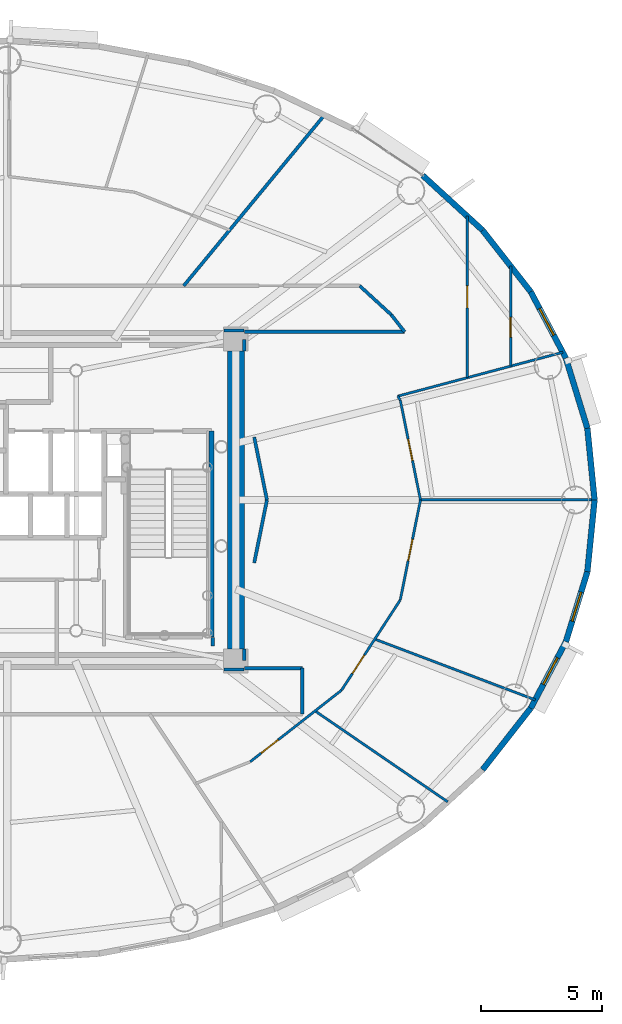
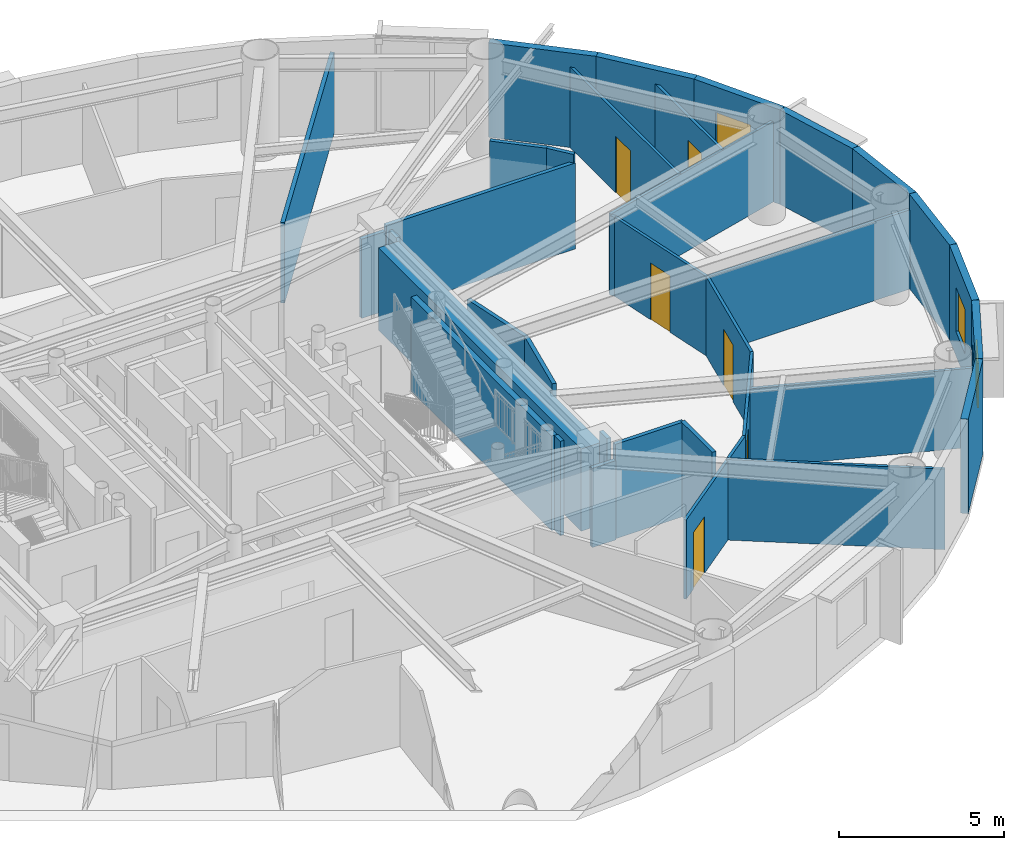
# One storey, part 10 of 18: 35 walls, 6 doors, 3 windows, 9 openings.
"""IFC4 building model written with IfcOpenShell, lengths in metres."""

from ifc_helpers import new_model, si_unit, direction, frame, frame_2d, origin, origin_2d, place, context, subcontext, project, spatial, rectangle, extrude, source, transform, mapped, material, layer, layer_set, type_object, element, fill, save


model = new_model("IFC4")

# Units and contexts
model_context = context("Model", 3, precision=1e-05, world=origin(), true_north=direction((0.0, 1.0)))
body_context = subcontext(model_context, "Body", "Model", "MODEL_VIEW")
ifc_project = project(units=[si_unit("LENGTHUNIT", "METRE"), si_unit("AREAUNIT", "SQUARE_METRE"), si_unit("VOLUMEUNIT", "CUBIC_METRE"), si_unit("PLANEANGLEUNIT", "RADIAN"), si_unit("MASSUNIT", "GRAM", prefix="KILO")], contexts=[model_context])

# Site, building, storey
site_placement = place(None, origin())
site = spatial("IfcSite", under=ifc_project, at=site_placement, CompositionType="ELEMENT")
building_placement = place(site_placement, origin())
building = spatial("IfcBuilding", under=site, at=building_placement, Name="Linh Dai School and Residence Tower", CompositionType="ELEMENT")
storey_placement = place(building_placement, frame((0.0, 0.0, 244.050048828125)))
storey = spatial("IfcBuildingStorey", under=building, at=storey_placement, Name="L60", CompositionType="ELEMENT", Elevation=244.050048828125)

# Walls
ifc_material_1 = material(Name="Precast Concrete B45 (C35/45)", Category="concrete")
ifc_layer_1 = layer(ifc_material_1, 0.239990234375)
ifc_layer_set_1 = layer_set([ifc_layer_1], Name="Precast Concrete B45 (C35/45)")
wall_type_1 = type_object("IfcWallType", Name="EW-TC-240", PredefinedType="SOLIDWALL", material=ifc_layer_set_1)
wall_1_placement = place(storey_placement, frame((59.97705078125, 29.9638671875, 0.0), z_axis=(0.0, 0.0, 1.0), x_axis=(0.099990595253, -0.994988382274, 0.0)))
element("IfcWall", 1, at=wall_1_placement, inside=storey, type_object=wall_type_1, Name="L60 Terracotta Exterior Wall 01", PredefinedType="SOLIDWALL", context=body_context, shape_type="SweptSolid", body=[
    extrude(rectangle(XDim=2.978759765625, YDim=0.239990234375, at=frame_2d((1.4892578125, 0.0))), origin(), (0.0, 0.0, 1.0), 3.5),
])
wall_2_placement = place(storey_placement, frame((59.09033203125, 32.85595703125, 0.0), z_axis=(0.0, 0.0, 1.0), x_axis=(0.293132907334, -0.95607170162, 0.0)))
element("IfcWall", 2, at=wall_2_placement, inside=storey, type_object=wall_type_1, Name="L60 Terracotta Exterior Wall 02", PredefinedType="SOLIDWALL", context=body_context, shape_type="SweptSolid", body=[
    extrude(rectangle(XDim=3.02490234375, YDim=0.239990234375, at=frame_2d((1.512451171875, 0.0))), origin(), (0.0, 0.0, 1.0), 3.5),
])

# Wall, opening, window
wall_3_placement = place(storey_placement, frame((57.6357421875, 35.605224609375, 0.0), z_axis=(0.0, 0.0, 1.0), x_axis=(0.46766049993, -0.883908172157, 0.0)))
wall_3 = element("IfcWall", 3, at=wall_3_placement, inside=storey, type_object=wall_type_1, Name="L60 Terracotta Exterior Wall 03", PredefinedType="SOLIDWALL", context=body_context, shape_type="SweptSolid", body=[
    extrude(rectangle(XDim=3.1103515625, YDim=0.239990234375, at=frame_2d((1.55517578125, 0.0))), origin(), (0.0, 0.0, 1.0), 3.5),
])
opening_1_placement = place(wall_3_placement, frame((0.781982421875, 0.0, 0.89990234375)))
opening_1 = element("IfcOpeningElement", 4, at=opening_1_placement, cuts=wall_3, Name="Opening W3", PredefinedType="OPENING", context=body_context, shape_type="SweptSolid", body=[
    extrude(rectangle(XDim=1.25, YDim=1.64990234375, at=origin_2d()), frame((0.625, 0.1298828125, 0.824951171875), z_axis=(0.0, -1.0, 0.0), x_axis=(1.0, 0.0, 0.0)), (0.0, 0.0, 1.0), 0.260009765625),
])
ifc_material_2 = material(Name="Double Low-E Insulated Glazing", Category="glass")
window_type = type_object("IfcWindowType", Name="WN-RES-1250x1650", PartitioningType="SINGLE_PANEL", PredefinedType="WINDOW", material=ifc_material_2)
shared_shape_1 = source(origin(), body_context, "Body", "SweptSolid", [
    extrude(rectangle(XDim=1.25, YDim=1.64990234375, at=origin_2d()), frame((0.625, 0.030029296875, 0.824951171875), z_axis=(0.0, -1.0, 0.0), x_axis=(1.0, 0.0, 0.0)), (0.0, 0.0, 1.0), 0.06005859375),
])
window_1_placement = place(opening_1_placement, origin())
window_1 = element("IfcWindow", 5, at=window_1_placement, inside=storey, type_object=window_type, Name="L60 Exterior Window 03.1", OverallHeight=1.64990234375, OverallWidth=1.25, PartitioningType="SINGLE_PANEL", PredefinedType="WINDOW", context=body_context, shape_type="MappedRepresentation", body=[
    mapped(shared_shape_1, transform((0.0, 0.0, 0.0), x_axis=(1.0, 0.0, 0.0), y_axis=(0.0, 1.0, 0.0), z_axis=(0.0, 0.0, 1.0), scale=1.0)),
])
fill(opening_1, window_1)

# Walls
wall_4_placement = place(storey_placement, frame((55.6484375, 38.14453125, 0.0), z_axis=(0.0, 0.0, 1.0), x_axis=(0.616312344705, -0.787501805562, 0.0)))
element("IfcWall", 6, at=wall_4_placement, inside=storey, type_object=wall_type_1, Name="L60 Terracotta Exterior Wall 04", PredefinedType="SOLIDWALL", context=body_context, shape_type="SweptSolid", body=[
    extrude(rectangle(XDim=3.224609375, YDim=0.239990234375, at=frame_2d((1.6123046875, 0.0))), origin(), (0.0, 0.0, 1.0), 3.5),
])
wall_5_placement = place(storey_placement, frame((53.17626953125, 40.410888671875, 0.0), z_axis=(0.0, 0.0, 1.0), x_axis=(0.737123922599, -0.675757591694, 0.0)))
element("IfcWall", 7, at=wall_5_placement, inside=storey, type_object=wall_type_1, Name="L60 Terracotta Exterior Wall 05", PredefinedType="SOLIDWALL", context=body_context, shape_type="SweptSolid", body=[
    extrude(rectangle(XDim=3.353759765625, YDim=0.239990234375, at=frame_2d((1.6767578125, 0.0))), origin(), (0.0, 0.0, 1.0), 3.5),
])
wall_6_placement = place(storey_placement, frame((57.6357421875, 18.394775390625, 0.0), z_axis=(0.0, 0.0, 1.0), x_axis=(-0.616312344705, -0.787501805562, 0.0)))
element("IfcWall", 8, at=wall_6_placement, inside=storey, type_object=wall_type_1, Name="L60 Terracotta Exterior Wall 37", PredefinedType="SOLIDWALL", context=body_context, shape_type="SweptSolid", body=[
    extrude(rectangle(XDim=3.224609375, YDim=0.239990234375, at=frame_2d((1.6123046875, 0.0))), origin(), (0.0, 0.0, 1.0), 3.5),
])

# Wall, opening, window
wall_7_placement = place(storey_placement, frame((59.09033203125, 21.14404296875, 0.0), z_axis=(0.0, 0.0, 1.0), x_axis=(-0.46766049993, -0.883908172157, 0.0)))
wall_7 = element("IfcWall", 9, at=wall_7_placement, inside=storey, type_object=wall_type_1, Name="L60 Terracotta Exterior Wall 38", PredefinedType="SOLIDWALL", context=body_context, shape_type="SweptSolid", body=[
    extrude(rectangle(XDim=3.1103515625, YDim=0.239990234375, at=frame_2d((1.55517578125, 0.0))), origin(), (0.0, 0.0, 1.0), 3.5),
])
opening_2_placement = place(wall_7_placement, frame((0.747802734375, 0.0, 0.89990234375)))
opening_2 = element("IfcOpeningElement", 10, at=opening_2_placement, cuts=wall_7, Name="Opening W3", PredefinedType="OPENING", context=body_context, shape_type="SweptSolid", body=[
    extrude(rectangle(XDim=1.25, YDim=1.64990234375, at=origin_2d()), frame((0.625, 0.1298828125, 0.824951171875), z_axis=(0.0, -1.0, 0.0), x_axis=(1.0, 0.0, 0.0)), (0.0, 0.0, 1.0), 0.260009765625),
])
window_2_placement = place(opening_2_placement, origin())
window_2 = element("IfcWindow", 11, at=window_2_placement, inside=storey, type_object=window_type, Name="L60 Exterior Window 38.1", OverallHeight=1.64990234375, OverallWidth=1.25, PartitioningType="SINGLE_PANEL", PredefinedType="WINDOW", context=body_context, shape_type="MappedRepresentation", body=[
    mapped(shared_shape_1, transform((0.0, 0.0, 0.0), x_axis=(1.0, 0.0, 0.0), y_axis=(0.0, 1.0, 0.0), z_axis=(0.0, 0.0, 1.0), scale=1.0)),
])
fill(opening_2, window_2)

wall_8_placement = place(storey_placement, frame((59.97705078125, 24.0361328125, 0.0), z_axis=(0.0, 0.0, 1.0), x_axis=(-0.293132907334, -0.95607170162, 0.0)))
wall_8 = element("IfcWall", 12, at=wall_8_placement, inside=storey, type_object=wall_type_1, Name="L60 Terracotta Exterior Wall 39", PredefinedType="SOLIDWALL", context=body_context, shape_type="SweptSolid", body=[
    extrude(rectangle(XDim=3.02490234375, YDim=0.239990234375, at=frame_2d((1.512451171875, 0.0))), origin(), (0.0, 0.0, 1.0), 3.5),
])
opening_3_placement = place(wall_8_placement, frame((0.887451171875, 0.0, 0.89990234375)))
opening_3 = element("IfcOpeningElement", 13, at=opening_3_placement, cuts=wall_8, Name="Opening W3", PredefinedType="OPENING", context=body_context, shape_type="SweptSolid", body=[
    extrude(rectangle(XDim=1.25, YDim=1.64990234375, at=origin_2d()), frame((0.625, 0.1298828125, 0.824951171875), z_axis=(0.0, -1.0, 0.0), x_axis=(1.0, 0.0, 0.0)), (0.0, 0.0, 1.0), 0.260009765625),
])
window_3_placement = place(opening_3_placement, origin())
window_3 = element("IfcWindow", 14, at=window_3_placement, inside=storey, type_object=window_type, Name="L60 Exterior Window 39.1", OverallHeight=1.64990234375, OverallWidth=1.25, PartitioningType="SINGLE_PANEL", PredefinedType="WINDOW", context=body_context, shape_type="MappedRepresentation", body=[
    mapped(shared_shape_1, transform((0.0, 0.0, 0.0), x_axis=(1.0, 0.0, 0.0), y_axis=(0.0, 1.0, 0.0), z_axis=(0.0, 0.0, 1.0), scale=1.0)),
])
fill(opening_3, window_3)

# Walls
wall_9_placement = place(storey_placement, frame((60.27490234375, 27.0, 0.0), z_axis=(0.0, 0.0, 1.0), x_axis=(-0.099990595253, -0.994988382274, 0.0)))
element("IfcWall", 15, at=wall_9_placement, inside=storey, type_object=wall_type_1, Name="L60 Terracotta Exterior Wall 40", PredefinedType="SOLIDWALL", context=body_context, shape_type="SweptSolid", body=[
    extrude(rectangle(XDim=2.978759765625, YDim=0.239990234375, at=frame_2d((1.4892578125, 0.0))), origin(), (0.0, 0.0, 1.0), 3.5),
])
ifc_material_3 = material(Name="Autoclaved Aerated Concrete Blockwork", Category="masonry")
ifc_layer_2 = layer(ifc_material_3, 0.135009765625)
ifc_layer_set_2 = layer_set([ifc_layer_2], Name="Autoclaved Aerated Concrete Blockwork")
wall_type_2 = type_object("IfcWallType", Name="IW-CORR-135-EI90", PredefinedType="PARTITIONING", material=ifc_layer_set_2)
wall_10_placement = place(storey_placement, frame((43.29541015625, 35.85009765625, 0.0), z_axis=(0.0, 0.0, 1.0), x_axis=(0.636076542552, 0.771625966395, 0.0)))
element("IfcWall", 16, at=wall_10_placement, inside=storey, type_object=wall_type_2, Name="L60 Interior Partition Wall 067", PredefinedType="PARTITIONING", context=body_context, shape_type="SweptSolid", body=[
    extrude(rectangle(XDim=9.1513671875, YDim=0.135009765625, at=frame_2d((4.57568359375, 0.0))), origin(), (0.0, 0.0, 1.0), 2.98486328125),
])
wall_11_placement = place(storey_placement, frame((45.800048828125, 20.050048828125, 0.0), z_axis=(0.0, 0.0, 1.0), x_axis=(1.0, 0.0, 0.0)))
element("IfcWall", 17, at=wall_11_placement, inside=storey, type_object=wall_type_2, Name="L60 Interior Partition Wall 071", PredefinedType="PARTITIONING", context=body_context, shape_type="SweptSolid", body=[
    extrude(rectangle(XDim=2.39990234375, YDim=0.135009765625, at=frame_2d((1.199951171875, 0.0))), origin(), (0.0, 0.0, 1.0), 3.5),
])
wall_12_placement = place(storey_placement, frame((45.800048828125, 33.949951171875, 0.0), z_axis=(0.0, 0.0, 1.0), x_axis=(1.0, 0.0, 0.0)))
element("IfcWall", 18, at=wall_12_placement, inside=storey, type_object=wall_type_2, Name="L60 Interior Partition Wall 072", PredefinedType="PARTITIONING", context=body_context, shape_type="SweptSolid", body=[
    extrude(rectangle(XDim=6.623779296875, YDim=0.135009765625, at=frame_2d((3.31201171875, 0.0))), origin(), (0.0, 0.0, 1.0), 3.18505859375),
])
wall_13_placement = place(storey_placement, frame((48.199951171875, 18.14990234375, 0.0), z_axis=(0.0, 0.0, 1.0), x_axis=(0.0, 1.0, 0.0)))
element("IfcWall", 19, at=wall_13_placement, inside=storey, type_object=wall_type_2, Name="L60 Interior Partition Wall 074", PredefinedType="PARTITIONING", context=body_context, shape_type="SweptSolid", body=[
    extrude(rectangle(XDim=1.900146484375, YDim=0.135009765625, at=frame_2d((0.9501953125, 0.0))), origin(), (0.0, 0.0, 1.0), 3.5),
])
wall_14_placement = place(storey_placement, frame((50.56787109375, 35.85009765625, 0.0), z_axis=(0.0, 0.0, 1.0), x_axis=(0.737102657331, -0.675780787353, 0.0)))
element("IfcWall", 20, at=wall_14_placement, inside=storey, type_object=wall_type_2, Name="L60 Interior Partition Wall 077", PredefinedType="PARTITIONING", context=body_context, shape_type="SweptSolid", body=[
    extrude(rectangle(XDim=1.771728515625, YDim=0.135009765625, at=frame_2d((0.8857421875, 0.0))), origin(), (0.0, 0.0, 1.0), 3.5),
])
wall_15_placement = place(storey_placement, frame((51.873779296875, 34.65283203125, 0.0), z_axis=(0.0, 0.0, 1.0), x_axis=(0.61628613448, -0.787522317429, 0.0)))
element("IfcWall", 21, at=wall_15_placement, inside=storey, type_object=wall_type_2, Name="L60 Interior Partition Wall 079", PredefinedType="PARTITIONING", context=body_context, shape_type="SweptSolid", body=[
    extrude(rectangle(XDim=0.892578125, YDim=0.135009765625, at=frame_2d((0.4462890625, 0.0))), origin(), (0.0, 0.0, 1.0), 3.5),
])
wall_16_placement = place(storey_placement, frame((44.5, 20.9599609375, 0.0), z_axis=(0.0, 0.0, 1.0), x_axis=(0.0, 1.0, 0.0)))
element("IfcWall", 22, at=wall_16_placement, inside=storey, type_object=wall_type_2, Name="L60 Interior Partition Wall 091", PredefinedType="PARTITIONING", context=body_context, shape_type="SweptSolid", body=[
    extrude(rectangle(XDim=0.360107421875, YDim=0.135009765625, at=frame_2d((0.18017578125, 0.0))), origin(), (0.0, 0.0, 1.0), 3.5),
])
for number, where, z_axis, x_axis, name in (
    (23, (45.7900390625, 34.0, 0.0), (0.0, 0.0, 1.0), (-1.0, 0.0, 0.0), "L60 Interior Partition Wall 093"),
    (24, (44.9599609375, 20.0, 0.0), (0.0, 0.0, 1.0), (1.0, 0.0, 0.0), "L60 Interior Partition Wall 098"),
):
    element("IfcWall", number, at=place(storey_placement, frame(where, z_axis=z_axis, x_axis=x_axis)), inside=storey, type_object=wall_type_2, Name=name, PredefinedType="PARTITIONING", context=body_context, shape_type="SweptSolid", body=[
        extrude(rectangle(XDim=0.830078125, YDim=0.135009765625, at=frame_2d((0.4150390625, 0.0))), origin(), (0.0, 0.0, 1.0), 2.93505859375),
    ])
wall_17_placement = place(storey_placement, frame((45.800048828125, 20.37744140625, 0.0), z_axis=(0.0, 0.0, 1.0), x_axis=(0.0, 1.0, 0.0)))
element("IfcWall", 25, at=wall_17_placement, inside=storey, type_object=wall_type_2, Name="L60 Interior Partition Wall 099", PredefinedType="PARTITIONING", context=body_context, shape_type="SweptSolid", body=[
    extrude(rectangle(XDim=0.462646484375, YDim=0.135009765625, at=frame_2d((0.2314453125, 0.0))), origin(), (0.0, 0.0, 1.0), 3.5),
])
for number, where, z_axis, x_axis, name in (
    (26, (46.21044921875, 24.40234375, 0.0), (0.0, 0.0, 1.0), (0.198330009585, 0.980135300506, 0.0), "L60 Interior Partition Wall 100"),
    (27, (46.736083984375, 27.0, 0.0), (0.0, 0.0, 1.0), (-0.198330009585, 0.980135300506, 0.0), "L60 Interior Partition Wall 101"),
):
    element("IfcWall", number, at=place(storey_placement, frame(where, z_axis=z_axis, x_axis=x_axis)), inside=storey, type_object=wall_type_2, Name=name, PredefinedType="PARTITIONING", context=body_context, shape_type="SweptSolid", body=[
        extrude(rectangle(XDim=2.650390625, YDim=0.135009765625, at=frame_2d((1.3251953125, 0.0))), origin(), (0.0, 0.0, 1.0), 2.93505859375),
    ])
wall_18_placement = place(storey_placement, frame((45.800048828125, 33.159912109375, 0.0), z_axis=(0.0, 0.0, 1.0), x_axis=(0.0, 1.0, 0.0)))
element("IfcWall", 28, at=wall_18_placement, inside=storey, type_object=wall_type_2, Name="L60 Interior Partition Wall 102", PredefinedType="PARTITIONING", context=body_context, shape_type="SweptSolid", body=[
    extrude(rectangle(XDim=0.462646484375, YDim=0.135009765625, at=frame_2d((0.2314453125, 0.0))), origin(), (0.0, 0.0, 1.0), 3.18505859375),
])
ifc_material_4 = material(Name="Concrete B45 (C35/45)", Category="concrete")
ifc_layer_3 = layer(ifc_material_4, 0.199951171875)
ifc_layer_set_3 = layer_set([ifc_layer_3], Name="Concrete B45 (C35/45)")
wall_type_3 = type_object("IfcWallType", Name="IW-SHAFT-200-EI120", PredefinedType="PARTITIONING", material=ifc_layer_set_3)
wall_19_placement = place(storey_placement, frame((44.43994140625, 21.330078125, 0.0), z_axis=(0.0, 0.0, 1.0), x_axis=(0.0, 1.0, 0.0)))
element("IfcWall", 29, at=wall_19_placement, inside=storey, type_object=wall_type_3, Name="L60 Interior Partition Wall 069", PredefinedType="PARTITIONING", context=body_context, shape_type="SweptSolid", body=[
    extrude(rectangle(XDim=8.52001953125, YDim=0.199951171875, at=frame_2d((4.260009765625, 0.0))), origin(), (0.0, 0.0, 1.0), 3.5),
])

# Wall, opening, door
ifc_material_5 = material(Name="Gypsum Plasterboard Acoustic Stud Partition", Category="masonry")
ifc_layer_4 = layer(ifc_material_5, 0.10009765625)
ifc_layer_set_4 = layer_set([ifc_layer_4], Name="Gypsum Plasterboard Acoustic Stud Partition")
wall_type_4 = type_object("IfcWallType", Name="IW-UNIT-100", PredefinedType="PARTITIONING", material=ifc_layer_set_4)
wall_20_placement = place(storey_placement, frame((46.039306640625, 16.1806640625, 0.0), z_axis=(0.0, 0.0, 1.0), x_axis=(0.787367569585, 0.616483828147, 0.0)))
wall_20 = element("IfcWall", 30, at=wall_20_placement, inside=storey, type_object=wall_type_4, Name="L60 Interior Partition Wall 073", PredefinedType="PARTITIONING", context=body_context, shape_type="SweptSolid", body=[
    extrude(rectangle(XDim=4.799072265625, YDim=0.10009765625, at=frame_2d((2.3994140625, 0.0))), origin(), (0.0, 0.0, 1.0), 2.93505859375),
])
opening_4_placement = place(wall_20_placement, frame((0.581787109375, 0.0, 0.0)))
opening_4 = element("IfcOpeningElement", 31, at=opening_4_placement, cuts=wall_20, Name="Opening D05", PredefinedType="OPENING", context=body_context, shape_type="SweptSolid", body=[
    extrude(rectangle(XDim=0.89990234375, YDim=2.10009765625, at=origin_2d()), frame((0.449951171875, 0.06005859375, 1.050048828125), z_axis=(0.0, -1.0, 0.0), x_axis=(1.0, 0.0, 0.0)), (0.0, 0.0, 1.0), 0.1201171875),
])
ifc_material_6 = material(Name="Engineered Timber Internal Door", Category="wood")
door_type_1 = type_object("IfcDoorType", Name="DR-INT-900x2100", OperationType="NOTDEFINED", PredefinedType="DOOR", material=ifc_material_6)
shared_shape_2 = source(origin(), body_context, "Body", "SweptSolid", [
    extrude(rectangle(XDim=0.89990234375, YDim=2.10009765625, at=origin_2d()), frame((0.449951171875, 0.02490234375, 1.050048828125), z_axis=(0.0, -1.0, 0.0), x_axis=(1.0, 0.0, 0.0)), (0.0, 0.0, 1.0), 0.050048828125),
])
door_1_placement = place(opening_4_placement, origin())
door_1 = element("IfcDoor", 32, at=door_1_placement, inside=storey, type_object=door_type_1, Name="L60 Apartment U6003 Principal Bedroom 1 Door", OperationType="SINGLE_SWING_RIGHT", OverallHeight=2.10009765625, OverallWidth=0.89990234375, PredefinedType="DOOR", context=body_context, shape_type="MappedRepresentation", body=[
    mapped(shared_shape_2, transform((0.0, 0.0, 0.0), x_axis=(1.0, 0.0, 0.0), y_axis=(0.0, 1.0, 0.0), z_axis=(0.0, 0.0, 1.0), scale=1.0)),
])
fill(opening_4, door_1)

# Wall
wall_21_placement = place(storey_placement, frame((48.72412109375, 18.28271484375, 0.0), z_axis=(0.0, 0.0, 1.0), x_axis=(0.824946647061, -0.565210606325, 0.0)))
element("IfcWall", 33, at=wall_21_placement, inside=storey, type_object=wall_type_4, Name="L60 Interior Partition Wall 075", PredefinedType="PARTITIONING", context=body_context, shape_type="SweptSolid", body=[
    extrude(rectangle(XDim=6.6455078125, YDim=0.10009765625, at=frame_2d((3.32275390625, 0.0))), origin(), (0.0, 0.0, 1.0), 2.98486328125),
])

# Wall, opening, door
wall_22_placement = place(storey_placement, frame((49.818115234375, 19.13916015625, 0.0), z_axis=(0.0, 0.0, 1.0), x_axis=(0.545406924684, 0.83817139447, 0.0)))
wall_22 = element("IfcWall", 34, at=wall_22_placement, inside=storey, type_object=wall_type_4, Name="L60 Interior Partition Wall 076", PredefinedType="PARTITIONING", context=body_context, shape_type="SweptSolid", body=[
    extrude(rectangle(XDim=4.447998046875, YDim=0.10009765625, at=frame_2d((2.22412109375, 0.0))), origin(), (0.0, 0.0, 1.0), 2.93505859375),
])
opening_5_placement = place(wall_22_placement, frame((0.8291015625, 0.0, 0.0)))
opening_5 = element("IfcOpeningElement", 35, at=opening_5_placement, cuts=wall_22, Name="Opening D05", PredefinedType="OPENING", context=body_context, shape_type="SweptSolid", body=[
    extrude(rectangle(XDim=0.89990234375, YDim=2.10009765625, at=origin_2d()), frame((0.449951171875, 0.06005859375, 1.050048828125), z_axis=(0.0, -1.0, 0.0), x_axis=(1.0, 0.0, 0.0)), (0.0, 0.0, 1.0), 0.1201171875),
])
door_2_placement = place(opening_5_placement, origin())
door_2 = element("IfcDoor", 36, at=door_2_placement, inside=storey, type_object=door_type_1, Name="L60 Apartment U6003 Study Door", OperationType="SINGLE_SWING_LEFT", OverallHeight=2.10009765625, OverallWidth=0.89990234375, PredefinedType="DOOR", context=body_context, shape_type="MappedRepresentation", body=[
    mapped(shared_shape_2, transform((0.0, 0.0, 0.0), x_axis=(1.0, 0.0, 0.0), y_axis=(0.0, 1.0, 0.0), z_axis=(0.0, 0.0, 1.0), scale=1.0)),
])
fill(opening_5, door_2)

# Walls
wall_23_placement = place(storey_placement, frame((51.191650390625, 21.25, 0.0), z_axis=(0.0, 0.0, 1.0), x_axis=(0.935252375815, -0.353981628806, 0.0)))
element("IfcWall", 37, at=wall_23_placement, inside=storey, type_object=wall_type_4, Name="L60 Interior Partition Wall 078", PredefinedType="PARTITIONING", context=body_context, shape_type="SweptSolid", body=[
    extrude(rectangle(XDim=7.091552734375, YDim=0.10009765625, at=frame_2d((3.5458984375, 0.0))), origin(), (0.0, 0.0, 1.0), 2.93505859375),
])
wall_24_placement = place(storey_placement, frame((52.1416015625, 31.290283203125, 0.0), z_axis=(0.0, 0.0, 1.0), x_axis=(0.545079581712, -0.838384309014, 0.0)))
element("IfcWall", 38, at=wall_24_placement, inside=storey, type_object=wall_type_4, Name="L60 Interior Partition Wall 080", PredefinedType="PARTITIONING", context=body_context, shape_type="SweptSolid", body=[
    extrude(rectangle(XDim=0.188232421875, YDim=0.10009765625, at=frame_2d((0.09423828125, 0.0))), origin(), (0.0, 0.0, 1.0), 2.93505859375),
])
wall_25_placement = place(storey_placement, frame((52.1416015625, 31.290283203125, 0.0), z_axis=(0.0, 0.0, 1.0), x_axis=(0.966448115653, 0.256861907939, 0.0)))
element("IfcWall", 39, at=wall_25_placement, inside=storey, type_object=wall_type_4, Name="L60 Interior Partition Wall 081", PredefinedType="PARTITIONING", context=body_context, shape_type="SweptSolid", body=[
    extrude(rectangle(XDim=7.06005859375, YDim=0.10009765625, at=frame_2d((3.530029296875, 0.0))), origin(), (0.0, 0.0, 1.0), 2.98486328125),
])

# Wall, opening, door
wall_26_placement = place(storey_placement, frame((52.244140625, 22.867431640625, 0.0), z_axis=(0.0, 0.0, 1.0), x_axis=(0.198264809747, 0.980148491411, 0.0)))
wall_26 = element("IfcWall", 40, at=wall_26_placement, inside=storey, type_object=wall_type_4, Name="L60 Interior Partition Wall 082", PredefinedType="PARTITIONING", context=body_context, shape_type="SweptSolid", body=[
    extrude(rectangle(XDim=4.21630859375, YDim=0.10009765625, at=frame_2d((2.108154296875, 0.0))), origin(), (0.0, 0.0, 1.0), 2.93505859375),
])
opening_6_placement = place(wall_26_placement, frame((1.658203125, 0.0, 0.0)))
opening_6 = element("IfcOpeningElement", 41, at=opening_6_placement, cuts=wall_26, Name="Opening D05", PredefinedType="OPENING", context=body_context, shape_type="SweptSolid", body=[
    extrude(rectangle(XDim=0.89990234375, YDim=2.10009765625, at=origin_2d()), frame((0.449951171875, 0.06005859375, 1.050048828125), z_axis=(0.0, -1.0, 0.0), x_axis=(1.0, 0.0, 0.0)), (0.0, 0.0, 1.0), 0.1201171875),
])
door_3_placement = place(opening_6_placement, origin())
door_3 = element("IfcDoor", 42, at=door_3_placement, inside=storey, type_object=door_type_1, Name="L60 Apartment U6003 Principal Bedroom 2 Door", OperationType="SINGLE_SWING_RIGHT", OverallHeight=2.10009765625, OverallWidth=0.89990234375, PredefinedType="DOOR", context=body_context, shape_type="MappedRepresentation", body=[
    mapped(shared_shape_2, transform((0.0, 0.0, 0.0), x_axis=(1.0, 0.0, 0.0), y_axis=(0.0, 1.0, 0.0), z_axis=(0.0, 0.0, 1.0), scale=1.0)),
])
fill(opening_6, door_3)

wall_27_placement = place(storey_placement, frame((52.244140625, 31.132568359375, 0.0), z_axis=(0.0, 0.0, 1.0), x_axis=(0.198259251193, -0.980149615781, 0.0)))
wall_27 = element("IfcWall", 43, at=wall_27_placement, inside=storey, type_object=wall_type_4, Name="L60 Interior Partition Wall 083", PredefinedType="PARTITIONING", context=body_context, shape_type="SweptSolid", body=[
    extrude(rectangle(XDim=4.205322265625, YDim=0.10009765625, at=frame_2d((2.1025390625, 0.0))), origin(), (0.0, 0.0, 1.0), 2.93505859375),
])
opening_7_placement = place(wall_27_placement, frame((1.652587890625, 0.0, 0.0)))
opening_7 = element("IfcOpeningElement", 44, at=opening_7_placement, cuts=wall_27, Name="Opening D05", PredefinedType="OPENING", context=body_context, shape_type="SweptSolid", body=[
    extrude(rectangle(XDim=0.89990234375, YDim=2.10009765625, at=origin_2d()), frame((0.449951171875, 0.06005859375, 1.050048828125), z_axis=(0.0, -1.0, 0.0), x_axis=(1.0, 0.0, 0.0)), (0.0, 0.0, 1.0), 0.1201171875),
])
door_4_placement = place(opening_7_placement, origin())
door_4 = element("IfcDoor", 45, at=door_4_placement, inside=storey, type_object=door_type_1, Name="L60 Apartment U6003 Private Salon Door", OperationType="SINGLE_SWING_LEFT", OverallHeight=2.10009765625, OverallWidth=0.89990234375, PredefinedType="DOOR", context=body_context, shape_type="MappedRepresentation", body=[
    mapped(shared_shape_2, transform((0.0, 0.0, 0.0), x_axis=(1.0, 0.0, 0.0), y_axis=(0.0, 1.0, 0.0), z_axis=(0.0, 0.0, 1.0), scale=1.0)),
])
fill(opening_7, door_4)

# Wall
wall_28_placement = place(storey_placement, frame((53.082275390625, 27.0107421875, 0.0), z_axis=(0.0, 0.0, 1.0), x_axis=(0.999999792251, 0.000644592077, 0.0)))
element("IfcWall", 46, at=wall_28_placement, inside=storey, type_object=wall_type_4, Name="L60 Interior Partition Wall 084", PredefinedType="PARTITIONING", context=body_context, shape_type="SweptSolid", body=[
    extrude(rectangle(XDim=7.1962890625, YDim=0.10009765625, at=frame_2d((3.59814453125, 0.0))), origin(), (0.0, 0.0, 1.0), 2.93505859375),
])

# Wall, opening, door
wall_29_placement = place(storey_placement, frame((55.013671875, 32.053466796875, 0.0), z_axis=(0.0, 0.0, 1.0), x_axis=(0.0, 1.0, 0.0)))
wall_29 = element("IfcWall", 47, at=wall_29_placement, inside=storey, type_object=wall_type_4, Name="L60 Interior Partition Wall 085", PredefinedType="PARTITIONING", context=body_context, shape_type="SweptSolid", body=[
    extrude(rectangle(XDim=6.6796875, YDim=0.10009765625, at=frame_2d((3.33984375, 0.0))), origin(), (0.0, 0.0, 1.0), 2.98486328125),
])
opening_8_placement = place(wall_29_placement, frame((2.889892578125, 0.0, 0.0)))
opening_8 = element("IfcOpeningElement", 48, at=opening_8_placement, cuts=wall_29, Name="Opening D05", PredefinedType="OPENING", context=body_context, shape_type="SweptSolid", body=[
    extrude(rectangle(XDim=0.89990234375, YDim=2.10009765625, at=origin_2d()), frame((0.449951171875, 0.06005859375, 1.050048828125), z_axis=(0.0, -1.0, 0.0), x_axis=(1.0, 0.0, 0.0)), (0.0, 0.0, 1.0), 0.1201171875),
])
door_5_placement = place(opening_8_placement, origin())
door_5 = element("IfcDoor", 49, at=door_5_placement, inside=storey, type_object=door_type_1, Name="L60 Apartment U6003 Kitchen Door", OperationType="SINGLE_SWING_RIGHT", OverallHeight=2.10009765625, OverallWidth=0.89990234375, PredefinedType="DOOR", context=body_context, shape_type="MappedRepresentation", body=[
    mapped(shared_shape_2, transform((0.0, 0.0, 0.0), x_axis=(1.0, 0.0, 0.0), y_axis=(0.0, 1.0, 0.0), z_axis=(0.0, 0.0, 1.0), scale=1.0)),
])
fill(opening_8, door_5)

wall_30_placement = place(storey_placement, frame((56.802978515625, 32.529052734375, 0.0), z_axis=(0.0, 0.0, 1.0), x_axis=(0.0, 1.0, 0.0)))
wall_30 = element("IfcWall", 50, at=wall_30_placement, inside=storey, type_object=wall_type_4, Name="L60 Interior Partition Wall 086", PredefinedType="PARTITIONING", context=body_context, shape_type="SweptSolid", body=[
    extrude(rectangle(XDim=4.148193359375, YDim=0.10009765625, at=frame_2d((2.07421875, 0.0))), origin(), (0.0, 0.0, 1.0), 2.98486328125),
])
opening_9_placement = place(wall_30_placement, frame((1.200927734375, 0.0, 0.0)))
opening_9 = element("IfcOpeningElement", 51, at=opening_9_placement, cuts=wall_30, Name="Opening D06", PredefinedType="OPENING", context=body_context, shape_type="SweptSolid", body=[
    extrude(rectangle(XDim=0.820068359375, YDim=2.10009765625, at=origin_2d()), frame((0.41015625, 0.06005859375, 1.050048828125), z_axis=(0.0, -1.0, 0.0), x_axis=(1.0, 0.0, 0.0)), (0.0, 0.0, 1.0), 0.1201171875),
])
ifc_material_7 = material(Name="Moisture-Resistant Timber Bathroom Door", Category="wood")
door_type_2 = type_object("IfcDoorType", Name="DR-WET-820x2100", OperationType="NOTDEFINED", PredefinedType="DOOR", material=ifc_material_7)
shared_shape_3 = source(origin(), body_context, "Body", "SweptSolid", [
    extrude(rectangle(XDim=0.820068359375, YDim=2.10009765625, at=origin_2d()), frame((0.41015625, 0.02490234375, 1.050048828125), z_axis=(0.0, -1.0, 0.0), x_axis=(1.0, 0.0, 0.0)), (0.0, 0.0, 1.0), 0.050048828125),
])
door_6_placement = place(opening_9_placement, origin())
door_6 = element("IfcDoor", 52, at=door_6_placement, inside=storey, type_object=door_type_2, Name="L60 Apartment U6003 Bathroom 1 Door", OperationType="SINGLE_SWING_LEFT", OverallHeight=2.10009765625, OverallWidth=0.820068359375, PredefinedType="DOOR", context=body_context, shape_type="MappedRepresentation", body=[
    mapped(shared_shape_3, transform((0.0, 0.0, 0.0), x_axis=(1.0, 0.0, 0.0), y_axis=(0.0, 1.0, 0.0), z_axis=(0.0, 0.0, 1.0), scale=1.0)),
])
fill(opening_9, door_6)

# Wall
ifc_layer_5 = layer(ifc_material_4, 0.699951171875)
ifc_layer_set_5 = layer_set([ifc_layer_5], Name="Concrete B45 (C35/45)")
wall_type_5 = type_object("IfcWallType", Name="WL-CORE700", PredefinedType="SHEAR", material=ifc_layer_set_5)
wall_31_placement = place(storey_placement, frame((45.449951171875, 33.14990234375, 0.0), z_axis=(0.0, 0.0, 1.0), x_axis=(0.0, -1.0, 0.0)))
element("IfcWall", 53, at=wall_31_placement, inside=storey, type_object=wall_type_5, Name="L60 Central Core Shear Wall E", PredefinedType="SHEAR", context=body_context, shape_type="SweptSolid", body=[
    extrude(rectangle(XDim=12.2998046875, YDim=0.699951171875, at=frame_2d((6.14990234375, 0.0))), origin(), (0.0, 0.0, 1.0), 3.050048828125),
])

save(model, "model.ifc")
